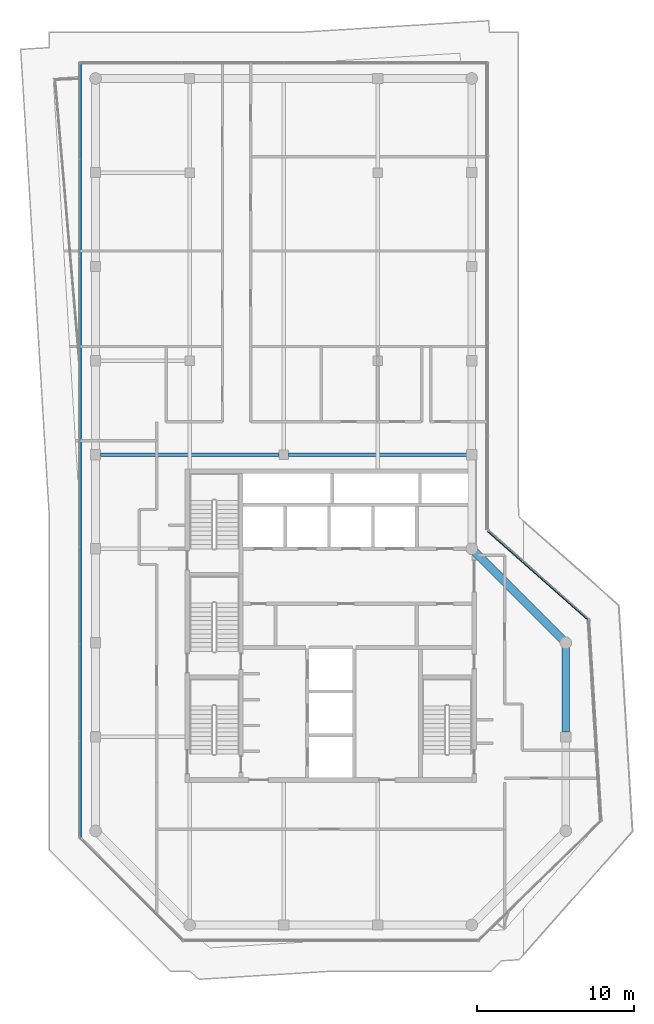
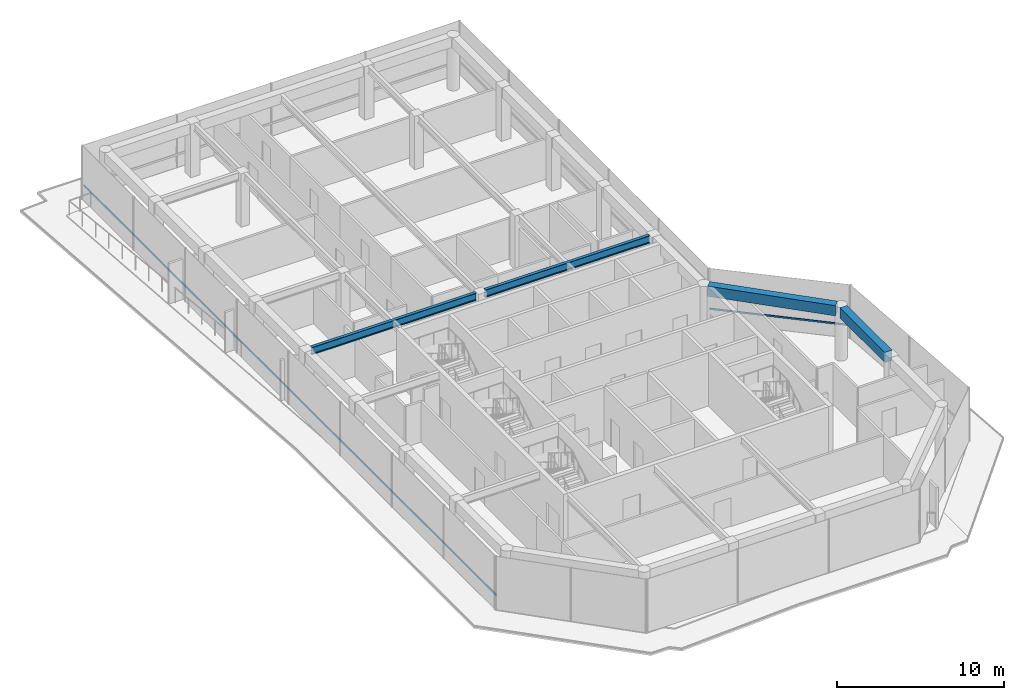
# One storey, part 6 of 22: 4 beams, 2 members, 2 elements without a shape of their own.
"""IFC4 building model written with IfcOpenShell, lengths in metres."""

from ifc_helpers import new_model, si_unit, direction, frame, origin, origin_2d, place, context, subcontext, project, spatial, rectangle, i_section, extrude, material, layer, layer_set, material_profile, profile_set, type_object, element, aggregate, save


model = new_model("IFC4")

# Units and contexts
model_context = context("Model", 3, precision=1e-05, world=origin(), true_north=direction((0.0, 1.0)))
body_context = subcontext(model_context, "Body", "Model", "MODEL_VIEW")
ifc_project = project(units=[si_unit("LENGTHUNIT", "METRE"), si_unit("AREAUNIT", "SQUARE_METRE"), si_unit("VOLUMEUNIT", "CUBIC_METRE"), si_unit("PLANEANGLEUNIT", "RADIAN"), si_unit("MASSUNIT", "GRAM", prefix="KILO")], contexts=[model_context])

# Site, building, storey
site_placement = place(None, origin())
site = spatial("IfcSite", under=ifc_project, at=site_placement, CompositionType="ELEMENT")
building_placement = place(site_placement, origin())
building = spatial("IfcBuilding", under=site, at=building_placement, Name="Welwitschia Terrace Campus", CompositionType="ELEMENT")
storey_placement = place(building_placement, frame((0.0, 0.0, 318.800048828125)))
storey = spatial("IfcBuildingStorey", under=building, at=storey_placement, Name="L71", CompositionType="ELEMENT", Elevation=318.800048828125)

# Beams
ifc_material_1 = material(Name="Steel S355", Category="steel")
ifc_material_profile_1 = material_profile(ifc_material_1, i_section(OverallWidth=0.2099609375, OverallDepth=0.550048828125, WebThickness=0.010986328125, FlangeThickness=0.01708984375, FilletRadius=0.02392578125, at=origin_2d()))
ifc_profile_set_1 = profile_set([ifc_material_profile_1], Name="Steel S355")
beam_type_1 = type_object("IfcBeamType", Name="Interior girder IPE 550", PredefinedType="BEAM", material=ifc_profile_set_1)
for number, where, z_axis, x_axis, name in (
    (1, (0.3154296875, 26.0, 3.625), (1.0, 0.0, 0.0), (0.0, 1.0, 0.0), "Girder GB7"),
    (2, (12.300537109375, 26.0, 3.625), (1.0, 0.0, 0.0), (0.0, 1.0, 0.0), "Girder GB7"),
):
    element("IfcBeam", number, at=place(storey_placement, frame(where, z_axis=z_axis, x_axis=x_axis)), inside=storey, type_object=beam_type_1, Name=name, PredefinedType="BEAM", context=body_context, shape_type="SweptSolid", body=[
        extrude(i_section(OverallWidth=0.2099609375, OverallDepth=0.550048828125, WebThickness=0.010986328125, FlangeThickness=0.01708984375, FilletRadius=0.02392578125, at=origin_2d()), origin(), (0.0, 0.0, 1.0), 11.384033203125),
    ])
ifc_material_2 = material(Name="Concrete C40/50", Category="concrete")
ifc_material_profile_2 = material_profile(ifc_material_2, rectangle(XDim=0.5, YDim=0.75, at=origin_2d()))
ifc_profile_set_2 = profile_set([ifc_material_profile_2], Name="Concrete C40/50")
beam_type_2 = type_object("IfcBeamType", Name="Ring spandrel 500x750", PredefinedType="SPANDREL", material=ifc_profile_set_2)
beam_1_placement = place(storey_placement, frame((30.0, 8.325439453125, 3.52490234375), z_axis=(0.0, 1.0, 0.0), x_axis=(-1.0, 0.0, 0.0)))
element("IfcBeam", 3, at=beam_1_placement, inside=storey, type_object=beam_type_2, Name="Spandrel SP5", PredefinedType="SPANDREL", context=body_context, shape_type="SweptSolid", body=[
    extrude(rectangle(XDim=0.5, YDim=0.75, at=origin_2d()), origin(), (0.0, 0.0, 1.0), 5.39404296875),
])
beam_2_placement = place(storey_placement, frame((29.8017578125, 14.1982421875, 3.52490234375), z_axis=(-0.707106781187, 0.707106781187, 0.0), x_axis=(-0.707106781187, -0.707106781187, 0.0)))
element("IfcBeam", 4, at=beam_2_placement, inside=storey, type_object=beam_type_2, Name="Spandrel SP5", PredefinedType="SPANDREL", context=body_context, shape_type="SweptSolid", body=[
    extrude(rectangle(XDim=0.5, YDim=0.75, at=origin_2d()), origin(), (0.0, 0.0, 1.0), 7.924560546875),
])

# Curtain wall, member
ifc_material_3 = material(Name="Bronze anodised aluminium", Category="aluminium")
ifc_layer = layer(ifc_material_3, 0.10009765625)
ifc_layer_set = layer_set([ifc_layer], Name="Bronze anodised aluminium")
curtain_wall_type = type_object("IfcCurtainWallType", Name="Curtain wall CW5 crown 6000", PredefinedType="NOTDEFINED", material=ifc_layer_set)
curtain_wall_1_placement = place(storey_placement, origin())
curtain_wall_1 = element("IfcCurtainWall", 5, at=curtain_wall_1_placement, inside=storey, type_object=curtain_wall_type, Name="CW L71.4.0", PredefinedType="NOTDEFINED")
ifc_material_4 = material(Name="Bronze anodised aluminium", Category="aluminium")
ifc_material_profile_3 = material_profile(ifc_material_4, rectangle(XDim=0.050048828125, YDim=0.1201171875, at=origin_2d()))
ifc_profile_set_3 = profile_set([ifc_material_profile_3], Name="Bronze anodised aluminium")
member_type = type_object("IfcMemberType", Name="Transom 50x120", PredefinedType="USERDEFINED", material=ifc_profile_set_3)
member_1_placement = place(storey_placement, frame((31.41162109375, 15.454833984375, 1.0), z_axis=(-0.748956713602, 0.662618926043, 0.0), x_axis=(-0.662618926043, -0.748956713602, 0.0)))
member_1 = element("IfcMember", 6, at=member_1_placement, type_object=member_type, Name="Transom L71.4.0", ObjectType="TRANSOM", PredefinedType="USERDEFINED", context=body_context, shape_type="SweptSolid", body=[
    extrude(rectangle(XDim=0.050048828125, YDim=0.1201171875, at=origin_2d()), origin(), (0.0, 0.0, 1.0), 8.536865234375),
])
aggregate(curtain_wall_1, [member_1])

curtain_wall_2_placement = place(storey_placement, origin())
curtain_wall_2 = element("IfcCurtainWall", 7, at=curtain_wall_2_placement, inside=storey, type_object=curtain_wall_type, Name="CW L71.7.0", PredefinedType="NOTDEFINED")
member_2_placement = place(storey_placement, frame((-0.955078125, 50.97998046875, 1.0), z_axis=(0.0, -1.0, 0.0), x_axis=(1.0, 0.0, 0.0)))
member_2 = element("IfcMember", 8, at=member_2_placement, type_object=member_type, Name="Transom L71.7.0", ObjectType="TRANSOM", PredefinedType="USERDEFINED", context=body_context, shape_type="SweptSolid", body=[
    extrude(rectangle(XDim=0.050048828125, YDim=0.1201171875, at=origin_2d()), origin(), (0.0, 0.0, 1.0), 49.356689453125),
])
aggregate(curtain_wall_2, [member_2])

save(model, "model.ifc")
